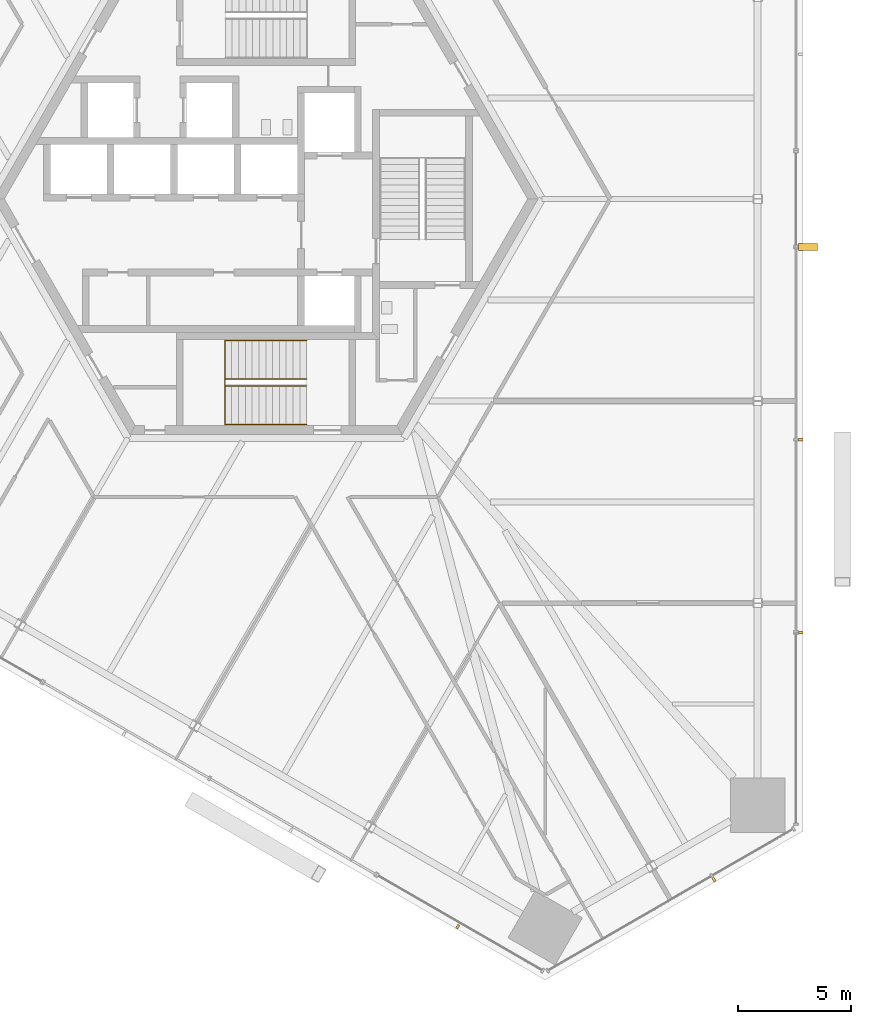
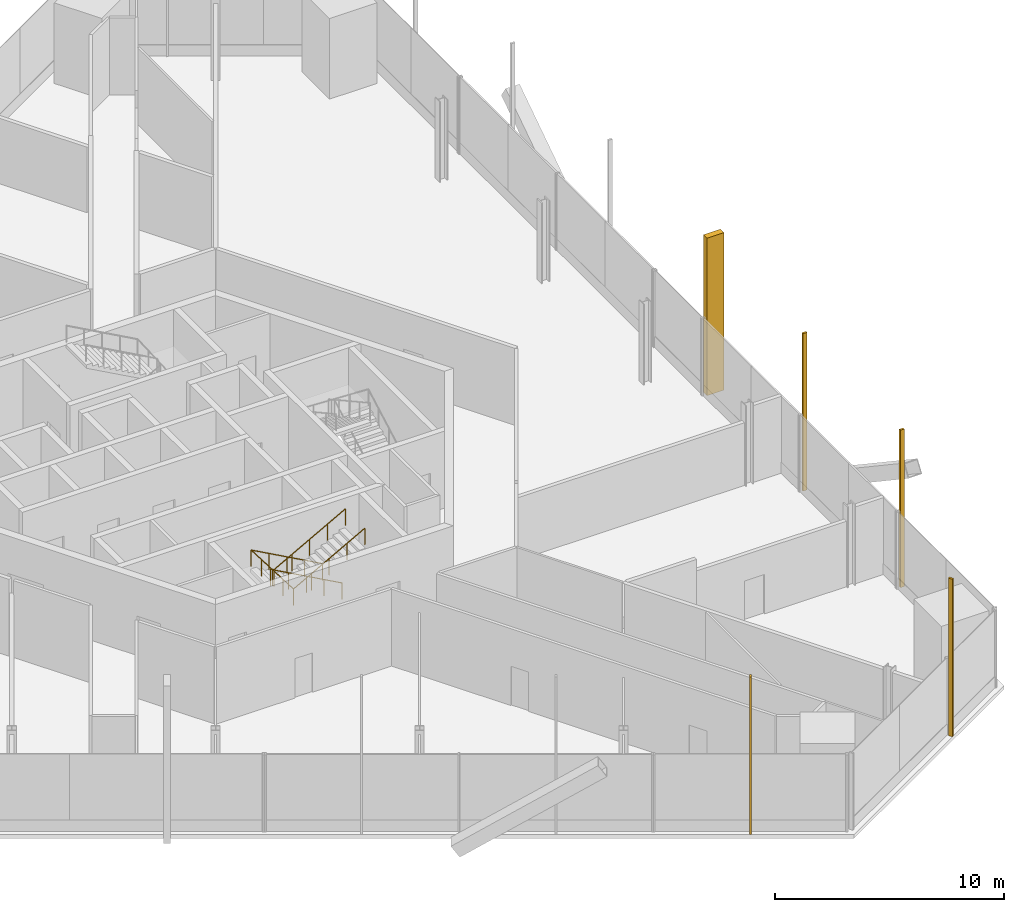
# One storey, part 16 of 19: 5 shading devices, 2 railings.
"""IFC4 building model written with IfcOpenShell, lengths in metres."""

from ifc_helpers import new_model, si_unit, direction, frame, origin, origin_2d, place, context, subcontext, project, spatial, rectangle, circle, extrude, source, transform, mapped, material, type_object, element, save


model = new_model("IFC4")

# Units and contexts
model_context = context("Model", 3, precision=1e-05, world=origin(), true_north=direction((0.0, 1.0)))
body_context = subcontext(model_context, "Body", "Model", "MODEL_VIEW")
ifc_project = project(units=[si_unit("LENGTHUNIT", "METRE"), si_unit("AREAUNIT", "SQUARE_METRE"), si_unit("VOLUMEUNIT", "CUBIC_METRE"), si_unit("PLANEANGLEUNIT", "RADIAN"), si_unit("MASSUNIT", "GRAM", prefix="KILO")], contexts=[model_context])

# Site, building, storey
site_placement = place(None, origin())
site = spatial("IfcSite", under=ifc_project, at=site_placement, CompositionType="ELEMENT")
building_placement = place(site_placement, origin())
building = spatial("IfcBuilding", under=site, at=building_placement, Name="Triune Harvest Tower", CompositionType="ELEMENT")
storey_placement = place(building_placement, frame((0.0, 0.0, 41.800048828125)))
storey = spatial("IfcBuildingStorey", under=building, at=storey_placement, Name="L09", CompositionType="ELEMENT", Elevation=41.800048828125)

# Railings
ifc_material_1 = material(Name="Stainless steel AISI 316", Category="steel")
railing_type = type_object("IfcRailingType", Name="Stair handrail", PredefinedType="HANDRAIL", material=ifc_material_1)
shared_shape_1 = source(origin(), body_context, "Body", "SweptSolid", [
    extrude(circle(Radius=0.02392578125, at=origin_2d()), frame((0.0, 0.0, 0.8759765625), z_axis=(-0.875746539262, 0.0, 0.482771166259), x_axis=(0.0, -1.0, 0.0)), (0.0, 0.0, 1.0), 4.11083984375),
    extrude(circle(Radius=0.02392578125, at=origin_2d()), frame((-3.60009765625, 0.0, 2.8603515625), z_axis=(0.0, -0.999000768331, 0.04469300699), x_axis=(1.0, 0.0, 0.0)), (0.0, 0.0, 1.0), 3.70361328125),
    extrude(circle(Radius=0.02392578125, at=origin_2d()), frame((-3.60009765625, -3.699951171875, 3.02587890625), z_axis=(0.875746539262, 0.0, 0.482771166259), x_axis=(0.0, 1.0, 0.0)), (0.0, 0.0, 1.0), 4.11083984375),
    extrude(circle(Radius=0.02099609375, at=origin_2d()), origin(), (0.0, 0.0, 1.0), 0.851806640625),
    extrude(circle(Radius=0.02099609375, at=origin_2d()), frame((-0.89990234375, 0.0, 0.49609375)), (0.0, 0.0, 1.0), 0.851806640625),
    extrude(circle(Radius=0.02099609375, at=origin_2d()), frame((-1.800048828125, 0.0, 0.9921875)), (0.0, 0.0, 1.0), 0.851806640625),
    extrude(circle(Radius=0.02099609375, at=origin_2d()), frame((-2.7001953125, 0.0, 1.488525390625)), (0.0, 0.0, 1.0), 0.851806640625),
    extrude(circle(Radius=0.02099609375, at=origin_2d()), frame((-3.60009765625, 0.0, 1.984619140625)), (0.0, 0.0, 1.0), 0.851806640625),
    extrude(circle(Radius=0.02099609375, at=origin_2d()), frame((-3.60009765625, -0.925048828125, 2.02587890625)), (0.0, 0.0, 1.0), 0.851806640625),
    extrude(circle(Radius=0.02099609375, at=origin_2d()), frame((-3.60009765625, -1.85009765625, 2.0673828125)), (0.0, 0.0, 1.0), 0.851806640625),
    extrude(circle(Radius=0.02099609375, at=origin_2d()), frame((-3.60009765625, -2.77490234375, 2.10888671875)), (0.0, 0.0, 1.0), 0.851806640625),
    extrude(circle(Radius=0.02099609375, at=origin_2d()), frame((-3.60009765625, -3.699951171875, 2.150146484375)), (0.0, 0.0, 1.0), 0.851806640625),
    extrude(circle(Radius=0.02099609375, at=origin_2d()), frame((-2.7001953125, -3.699951171875, 2.646240234375)), (0.0, 0.0, 1.0), 0.851806640625),
    extrude(circle(Radius=0.02099609375, at=origin_2d()), frame((-1.800048828125, -3.699951171875, 3.142578125)), (0.0, 0.0, 1.0), 0.851806640625),
    extrude(circle(Radius=0.02099609375, at=origin_2d()), frame((-0.89990234375, -3.699951171875, 3.638671875)), (0.0, 0.0, 1.0), 0.851806640625),
    extrude(circle(Radius=0.02099609375, at=origin_2d()), frame((0.0, -3.699951171875, 4.134765625)), (0.0, 0.0, 1.0), 0.851806640625),
])
railing_1_placement = place(storey_placement, frame((1.7900390625, -6.239990234375, 0.165283203125)))
element("IfcRailing", 1, at=railing_1_placement, inside=storey, type_object=railing_type, Name="Exit stair south wall handrail", PredefinedType="HANDRAIL", context=body_context, shape_type="MappedRepresentation", body=[
    mapped(shared_shape_1, transform((0.0, 0.0, 0.0), scale=1.0)),
])
shared_shape_2 = source(origin(), body_context, "Body", "SweptSolid", [
    extrude(circle(Radius=0.02392578125, at=origin_2d()), frame((0.0, 0.0, 0.8759765625), z_axis=(-0.875746539262, 0.0, 0.482771166259), x_axis=(0.0, -1.0, 0.0)), (0.0, 0.0, 1.0), 4.11083984375),
    extrude(circle(Radius=0.02392578125, at=origin_2d()), frame((-3.60009765625, 0.0, 2.8603515625), z_axis=(0.0, -0.875598465653, 0.483039674298), x_axis=(1.0, 0.0, 0.0)), (0.0, 0.0, 1.0), 0.3427734375),
    extrude(circle(Radius=0.02392578125, at=origin_2d()), frame((-3.60009765625, -0.300048828125, 3.02587890625), z_axis=(0.875746539262, 0.0, 0.482771166259), x_axis=(0.0, 1.0, 0.0)), (0.0, 0.0, 1.0), 4.11083984375),
    extrude(circle(Radius=0.02099609375, at=origin_2d()), origin(), (0.0, 0.0, 1.0), 0.851806640625),
    extrude(circle(Radius=0.02099609375, at=origin_2d()), frame((-0.89990234375, 0.0, 0.49609375)), (0.0, 0.0, 1.0), 0.851806640625),
    extrude(circle(Radius=0.02099609375, at=origin_2d()), frame((-1.800048828125, 0.0, 0.9921875)), (0.0, 0.0, 1.0), 0.851806640625),
    extrude(circle(Radius=0.02099609375, at=origin_2d()), frame((-2.7001953125, 0.0, 1.488525390625)), (0.0, 0.0, 1.0), 0.851806640625),
    extrude(circle(Radius=0.02099609375, at=origin_2d()), frame((-3.60009765625, 0.0, 1.984619140625)), (0.0, 0.0, 1.0), 0.851806640625),
    extrude(circle(Radius=0.02099609375, at=origin_2d()), frame((-3.60009765625, -0.300048828125, 2.150146484375)), (0.0, 0.0, 1.0), 0.851806640625),
    extrude(circle(Radius=0.02099609375, at=origin_2d()), frame((-2.7001953125, -0.300048828125, 2.646240234375)), (0.0, 0.0, 1.0), 0.851806640625),
    extrude(circle(Radius=0.02099609375, at=origin_2d()), frame((-1.800048828125, -0.300048828125, 3.142578125)), (0.0, 0.0, 1.0), 0.851806640625),
    extrude(circle(Radius=0.02099609375, at=origin_2d()), frame((-0.89990234375, -0.300048828125, 3.638671875)), (0.0, 0.0, 1.0), 0.851806640625),
    extrude(circle(Radius=0.02099609375, at=origin_2d()), frame((0.0, -0.300048828125, 4.134765625)), (0.0, 0.0, 1.0), 0.851806640625),
])
railing_2_placement = place(storey_placement, frame((1.7900390625, -7.93994140625, 0.165283203125)))
element("IfcRailing", 2, at=railing_2_placement, inside=storey, type_object=railing_type, Name="Exit stair south centre handrail", PredefinedType="HANDRAIL", context=body_context, shape_type="MappedRepresentation", body=[
    mapped(shared_shape_2, transform((0.0, 0.0, 0.0), scale=1.0)),
])

# Shading devices
ifc_material_2 = material(Name="Aluminium bronze anodised", Category="aluminium")
shared_shape_3 = source(origin(), body_context, "Body", "SweptSolid", [
    extrude(rectangle(XDim=0.10009765625, YDim=0.199951171875, at=origin_2d()), origin(), (0.0, 0.0, 1.0), 8.39990234375),
])
for number, where, z_axis, x_axis, name in (
    (3, (23.5712890625, -19.119384765625, 0.0), (0.0, 0.0, 1.0), (0.0, 1.0, 0.0), "FN-1 fin B1-F1.3 L09"),
    (4, (23.5712890625, -10.621826171875, 0.0), (0.0, 0.0, 1.0), (0.0, 1.0, 0.0), "FN-1 fin B1-F1.5 L09"),
    (5, (8.45166015625, -32.097412109375, 0.0), (0.0, 0.0, 1.0), (0.866025470037, -0.499999885247, 0.0), "FN-1 fin B1-F5.13 L09"),
    (6, (19.758056640625, -30.02392578125, 0.0), (0.0, 0.0, 1.0), (0.866026145592, 0.499998715149, 0.0), "FN-1 fin B1-F6.3 L09"),
):
    element("IfcShadingDevice", number, at=place(storey_placement, frame(where, z_axis=z_axis, x_axis=x_axis)), inside=storey, material=ifc_material_2, Name=name, ObjectType="FIN", PredefinedType="USERDEFINED", context=body_context, shape_type="MappedRepresentation", body=[
        mapped(shared_shape_3, transform((0.0, 0.0, 0.0), scale=1.0)),
    ])
shared_shape_4 = source(origin(), body_context, "Body", "SweptSolid", [
    extrude(rectangle(XDim=0.300048828125, YDim=0.85009765625, at=origin_2d()), origin(), (0.0, 0.0, 1.0), 8.39990234375),
])
shading_device_placement = place(storey_placement, frame((23.896484375, -2.124267578125, 0.0), z_axis=(0.0, 0.0, 1.0), x_axis=(0.0, 1.0, 0.0)))
element("IfcShadingDevice", 7, at=shading_device_placement, inside=storey, material=ifc_material_2, Name="FN-2 fin B1-F1.7 L09", ObjectType="FIN", PredefinedType="USERDEFINED", context=body_context, shape_type="MappedRepresentation", body=[
    mapped(shared_shape_4, transform((0.0, 0.0, 0.0), scale=1.0)),
])

save(model, "model.ifc")
